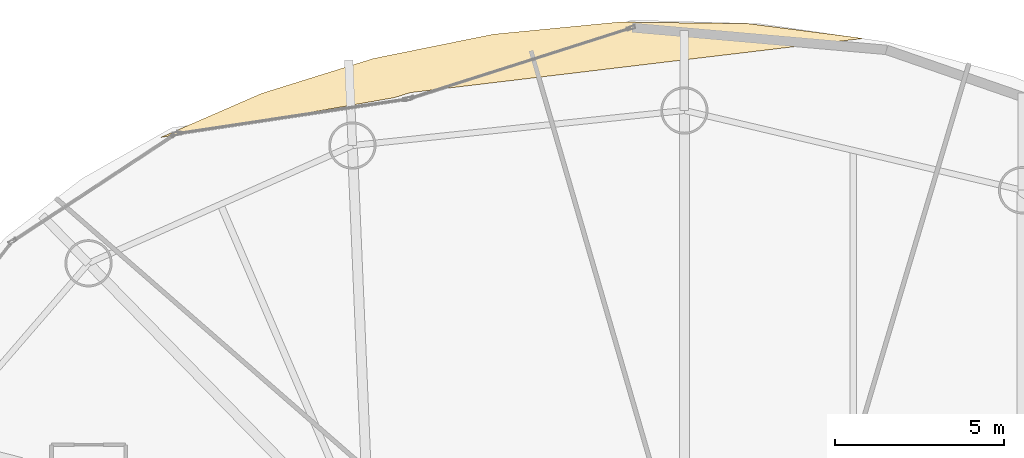
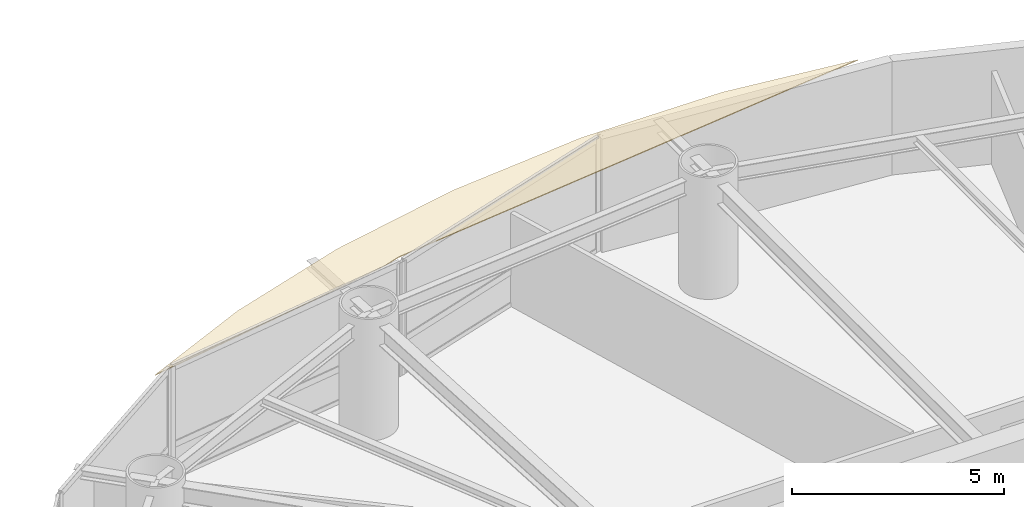
# One storey, part 22 of 22: 1 covering.
"""IFC4 building model written with IfcOpenShell, lengths in metres."""

from ifc_helpers import new_model, si_unit, direction, frame, origin, place, context, subcontext, project, spatial, polyline, outline, extrude, material, layer, layer_set, type_object, element, save


model = new_model("IFC4")

# Units and contexts
model_context = context("Model", 3, precision=1e-05, world=origin(), true_north=direction((0.0, 1.0)))
body_context = subcontext(model_context, "Body", "Model", "MODEL_VIEW")
ifc_project = project(units=[si_unit("LENGTHUNIT", "METRE"), si_unit("AREAUNIT", "SQUARE_METRE"), si_unit("VOLUMEUNIT", "CUBIC_METRE"), si_unit("PLANEANGLEUNIT", "RADIAN"), si_unit("MASSUNIT", "GRAM", prefix="KILO")], contexts=[model_context])

# Site, building, storey
site_placement = place(None, origin())
site = spatial("IfcSite", under=ifc_project, at=site_placement, CompositionType="ELEMENT")
building_placement = place(site_placement, origin())
building = spatial("IfcBuilding", under=site, at=building_placement, Name="Bramvorn Convention Spire", CompositionType="ELEMENT")
storey_placement = place(building_placement, frame((0.0, 0.0, 137.800048828125)))
storey = spatial("IfcBuildingStorey", under=building, at=storey_placement, Name="L34", CompositionType="ELEMENT", Elevation=137.800048828125)

# Covering
ifc_material = material(Name="Champagne Bronze Aluminium Composite Soffit", Category="aluminium")
ifc_layer = layer(ifc_material, 0.02490234375)
ifc_layer_set = layer_set([ifc_layer], Name="Champagne Bronze Aluminium Composite Soffit - COV-CLAD-SOFFIT-25")
covering_type = type_object("IfcCoveringType", Name="COV-CLAD-SOFFIT-25", PredefinedType="CLADDING", material=ifc_layer_set)
covering_placement = place(storey_placement, frame((0.0, 0.0, 3.23486328125)))
element("IfcCovering", 1, at=covering_placement, inside=storey, type_object=covering_type, Name="L33 double-height Sky Garden bronze soffit", PredefinedType="CLADDING", context=body_context, shape_type="SweptSolid", body=[
    extrude(outline(polyline([(23.552490234375, 47.02392578125), (20.555419921875, 45.718505859375), (24.073974609375, 46.30029296875), (27.48779296875, 46.89892578125), (27.9521484375, 47.046142578125), (41.381103515625, 48.65283203125), (37.939697265625, 49.09375), (34.134765625, 49.137451171875), (30.414306640625, 48.776611328125), (26.861083984375, 48.056640625), (23.552490234375, 47.02392578125)])), origin(), (0.0, 0.0, 1.0), 0.025146484375),
])

save(model, "model.ifc")
